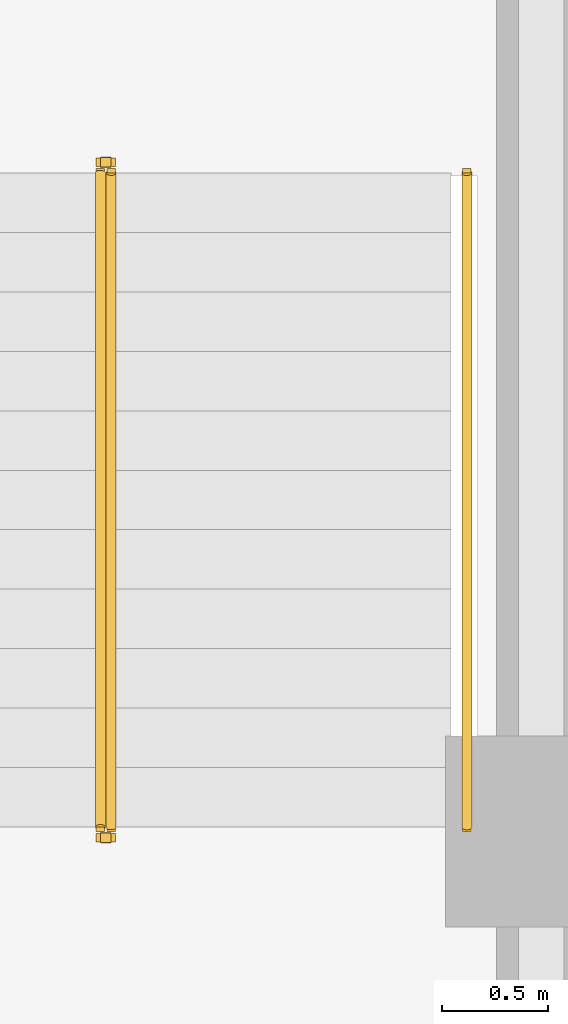
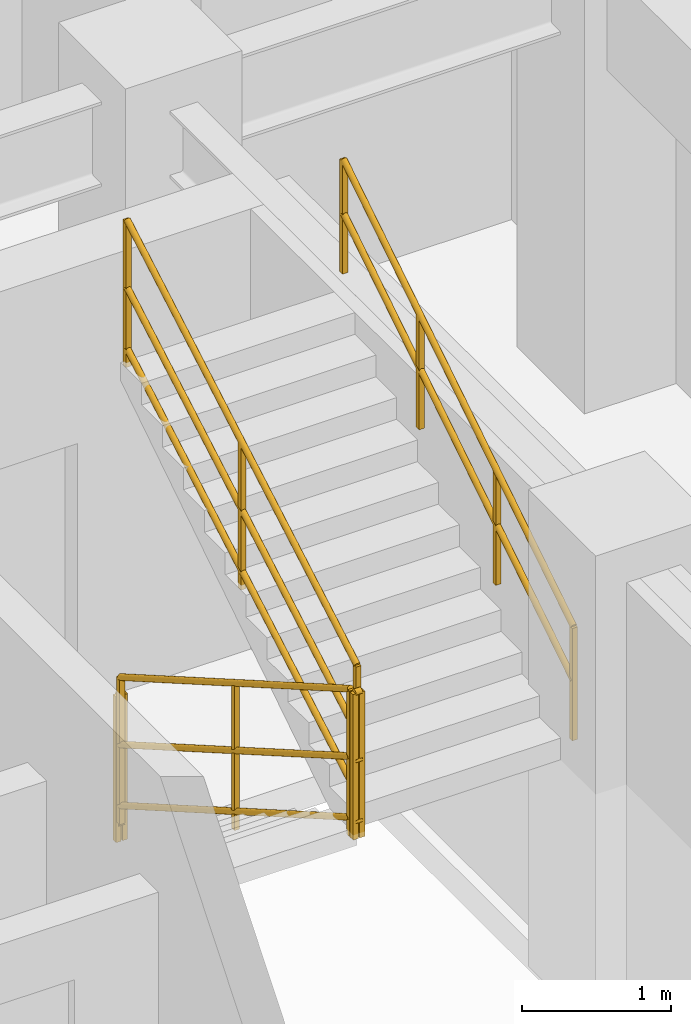
# One storey, part 9 of 10: 5 railings.
"""IFC4 building model written with IfcOpenShell, lengths in metres."""

from ifc_helpers import new_model, entity, si_unit, converted_unit, direction, frame, origin_with_axes, origin_2d_with_axis, place, context, subcontext, project, spatial, rectangle, circle, extrude, material, type_object, element, save


model = new_model("IFC4")

# Units and contexts
model_context = context("Model", 3, precision=1e-05, world=origin_with_axes(), true_north=direction((0.0, 1.0)))
body_context = subcontext(model_context, "Body", "Model", "MODEL_VIEW")
ifc_project = project(units=[si_unit("LENGTHUNIT", "METRE"), si_unit("AREAUNIT", "SQUARE_METRE"), si_unit("VOLUMEUNIT", "CUBIC_METRE"), converted_unit("PLANEANGLEUNIT", "DEGREE", entity("IfcPlaneAngleMeasure", 0.017453292519943295), si_unit("PLANEANGLEUNIT", "RADIAN"), dimensions=[0, 0, 0, 0, 0, 0, 0]), si_unit("MASSUNIT", "GRAM", prefix="KILO"), si_unit("THERMODYNAMICTEMPERATUREUNIT", "KELVIN")], contexts=[model_context])

# Site, building, storey
site_placement = place(None, origin_with_axes())
site = spatial("IfcSite", under=ifc_project, at=site_placement, CompositionType="ELEMENT")
building_placement = place(site_placement, origin_with_axes())
building = spatial("IfcBuilding", under=site, at=building_placement, Name="Varnlund Millrace Tower", CompositionType="ELEMENT")
storey_placement = place(building_placement, frame((0.0, 0.0, 244.2), z_axis=(0.0, 0.0, 1.0), x_axis=(1.0, 0.0, 0.0)))
storey = spatial("IfcBuildingStorey", under=building, at=storey_placement, Name="L60", CompositionType="ELEMENT", Elevation=244.2)

# Railings
ifc_material_1 = material(Name="Painted steel stair well balustrade guard", Category="steel")
railing_type_1 = type_object("IfcRailingType", Name="Type-StairGuard-1150", PredefinedType="GUARDRAIL", material=ifc_material_1)
railing_1_placement = place(storey_placement, frame((0.0, 0.0, -244.2), z_axis=(0.0, 0.0, 1.0), x_axis=(1.0, 0.0, 0.0)))
element("IfcRailing", 1, at=railing_1_placement, inside=storey, type_object=railing_type_1, Name="Type-StairGuard-1150", PredefinedType="GUARDRAIL", context=body_context, shape_type="SweptSolid", body=[
    extrude(circle(Radius=0.024, at=origin_2d_with_axis()), frame((45.975, 21.1, 245.527273), z_axis=(0.0, -0.866696, 0.498836), x_axis=(1.0, 0.0, 0.0)), (0.0, 0.0, 1.0), 3.553725),
    extrude(circle(Radius=0.024, at=origin_2d_with_axis()), frame((45.975, 21.1, 244.477273), z_axis=(0.0, -0.866696, 0.498836), x_axis=(1.0, 0.0, 0.0)), (0.0, 0.0, 1.0), 3.553725),
    extrude(circle(Radius=0.024, at=origin_2d_with_axis()), frame((45.975, 21.1, 244.975273), z_axis=(0.0, -0.866696, 0.498836), x_axis=(1.0, 0.0, 0.0)), (0.0, 0.0, 1.0), 3.553725),
    extrude(rectangle(XDim=0.04, YDim=0.04, at=origin_2d_with_axis()), frame((45.975, 21.1, 244.337273), z_axis=(0.0, 0.0, 1.0), x_axis=(1.0, 0.0, 0.0)), (0.0, 0.0, 1.0), 1.19),
    extrude(rectangle(XDim=0.04, YDim=0.04, at=origin_2d_with_axis()), frame((45.975, 19.56, 245.223637), z_axis=(0.0, 0.0, 1.0), x_axis=(1.0, 0.0, 0.0)), (0.0, 0.0, 1.0), 1.19),
    extrude(rectangle(XDim=0.04, YDim=0.04, at=origin_2d_with_axis()), frame((45.975, 18.02, 246.11), z_axis=(0.0, 0.0, 1.0), x_axis=(1.0, 0.0, 0.0)), (0.0, 0.0, 1.0), 1.19),
])
railing_2_placement = place(storey_placement, frame((0.0, 0.0, -244.2), z_axis=(0.0, 0.0, 1.0), x_axis=(1.0, 0.0, 0.0)))
element("IfcRailing", 2, at=railing_2_placement, inside=storey, type_object=railing_type_1, Name="Type-StairGuard-1150", PredefinedType="GUARDRAIL", context=body_context, shape_type="SweptSolid", body=[
    extrude(circle(Radius=0.024, at=origin_2d_with_axis()), frame((46.025, 17.97, 247.3), z_axis=(-1.0, 0.0, 0.0), x_axis=(0.0, -1.0, 0.0)), (0.0, 0.0, 1.0), 0.05),
    extrude(circle(Radius=0.024, at=origin_2d_with_axis()), frame((46.025, 17.97, 246.25), z_axis=(-1.0, 0.0, 0.0), x_axis=(0.0, -1.0, 0.0)), (0.0, 0.0, 1.0), 0.05),
    extrude(circle(Radius=0.024, at=origin_2d_with_axis()), frame((46.025, 17.97, 246.748), z_axis=(-1.0, 0.0, 0.0), x_axis=(0.0, -1.0, 0.0)), (0.0, 0.0, 1.0), 0.05),
    extrude(rectangle(XDim=0.04, YDim=0.04, at=origin_2d_with_axis()), frame((46.025, 17.97, 246.11), z_axis=(0.0, 0.0, 1.0), x_axis=(1.0, 0.0, 0.0)), (0.0, 0.0, 1.0), 1.19),
    extrude(rectangle(XDim=0.04, YDim=0.04, at=origin_2d_with_axis()), frame((45.975, 17.97, 246.11), z_axis=(0.0, 0.0, 1.0), x_axis=(1.0, 0.0, 0.0)), (0.0, 0.0, 1.0), 1.19),
])
railing_3_placement = place(storey_placement, frame((0.0, 0.0, -244.2), z_axis=(0.0, 0.0, 1.0), x_axis=(1.0, 0.0, 0.0)))
element("IfcRailing", 3, at=railing_3_placement, inside=storey, type_object=railing_type_1, Name="Type-StairGuard-1150", PredefinedType="GUARDRAIL", context=body_context, shape_type="SweptSolid", body=[
    extrude(circle(Radius=0.024, at=origin_2d_with_axis()), frame((46.025, 18.02, 247.477273), z_axis=(0.0, 0.866696, 0.498836), x_axis=(-1.0, 0.0, 0.0)), (0.0, 0.0, 1.0), 3.553725),
    extrude(circle(Radius=0.024, at=origin_2d_with_axis()), frame((46.025, 18.02, 246.427273), z_axis=(0.0, 0.866696, 0.498836), x_axis=(-1.0, 0.0, 0.0)), (0.0, 0.0, 1.0), 3.553725),
    extrude(circle(Radius=0.024, at=origin_2d_with_axis()), frame((46.025, 18.02, 246.925273), z_axis=(0.0, 0.866696, 0.498836), x_axis=(-1.0, 0.0, 0.0)), (0.0, 0.0, 1.0), 3.553725),
    extrude(rectangle(XDim=0.04, YDim=0.04, at=origin_2d_with_axis()), frame((46.025, 18.02, 246.287273), z_axis=(0.0, 0.0, 1.0), x_axis=(1.0, 0.0, 0.0)), (0.0, 0.0, 1.0), 1.19),
    extrude(rectangle(XDim=0.04, YDim=0.04, at=origin_2d_with_axis()), frame((46.025, 19.56, 247.173637), z_axis=(0.0, 0.0, 1.0), x_axis=(1.0, 0.0, 0.0)), (0.0, 0.0, 1.0), 1.19),
    extrude(rectangle(XDim=0.04, YDim=0.04, at=origin_2d_with_axis()), frame((46.025, 21.1, 248.06), z_axis=(0.0, 0.0, 1.0), x_axis=(1.0, 0.0, 0.0)), (0.0, 0.0, 1.0), 1.19),
])
railing_4_placement = place(storey_placement, frame((0.0, 0.0, -244.2), z_axis=(0.0, 0.0, 1.0), x_axis=(1.0, 0.0, 0.0)))
element("IfcRailing", 4, at=railing_4_placement, inside=storey, type_object=railing_type_1, Name="Type-StairGuard-1150", PredefinedType="GUARDRAIL", context=body_context, shape_type="SweptSolid", body=[
    extrude(circle(Radius=0.024, at=origin_2d_with_axis()), frame((46.025, 21.15, 245.35), z_axis=(-1.0, 0.0, 0.0), x_axis=(0.0, -1.0, 0.0)), (0.0, 0.0, 1.0), 0.05),
    extrude(circle(Radius=0.024, at=origin_2d_with_axis()), frame((46.025, 21.15, 244.3), z_axis=(-1.0, 0.0, 0.0), x_axis=(0.0, -1.0, 0.0)), (0.0, 0.0, 1.0), 0.05),
    extrude(circle(Radius=0.024, at=origin_2d_with_axis()), frame((46.025, 21.15, 244.798), z_axis=(-1.0, 0.0, 0.0), x_axis=(0.0, -1.0, 0.0)), (0.0, 0.0, 1.0), 0.05),
    extrude(rectangle(XDim=0.04, YDim=0.04, at=origin_2d_with_axis()), frame((46.025, 21.15, 244.16), z_axis=(0.0, 0.0, 1.0), x_axis=(1.0, 0.0, 0.0)), (0.0, 0.0, 1.0), 1.19),
    extrude(rectangle(XDim=0.04, YDim=0.04, at=origin_2d_with_axis()), frame((45.975, 21.15, 244.16), z_axis=(0.0, 0.0, 1.0), x_axis=(1.0, 0.0, 0.0)), (0.0, 0.0, 1.0), 1.19),
])
ifc_material_2 = material(Name="Brushed architectural bronze stair handrail", Category="aluminium")
railing_type_2 = type_object("IfcRailingType", Name="Type-StairHandrail-900", PredefinedType="HANDRAIL", material=ifc_material_2)
railing_5_placement = place(storey_placement, frame((0.0, 0.0, -244.2), z_axis=(0.0, 0.0, 1.0), x_axis=(1.0, 0.0, 0.0)))
element("IfcRailing", 5, at=railing_5_placement, inside=storey, type_object=railing_type_2, Name="Type-StairHandrail-900", PredefinedType="HANDRAIL", context=body_context, shape_type="SweptSolid", body=[
    extrude(circle(Radius=0.024, at=origin_2d_with_axis()), frame((47.7, 18.02, 247.206995), z_axis=(0.0, 0.844902, 0.534922), x_axis=(-1.0, 0.0, 0.0)), (0.0, 0.0, 1.0), 3.645394),
    extrude(circle(Radius=0.024, at=origin_2d_with_axis()), frame((47.7, 18.02, 246.767134), z_axis=(0.0, 0.844902, 0.534922), x_axis=(-1.0, 0.0, 0.0)), (0.0, 0.0, 1.0), 3.645394),
    extrude(rectangle(XDim=0.04, YDim=0.04, at=origin_2d_with_axis()), frame((47.7, 18.02, 246.287273), z_axis=(0.0, 0.0, 1.0), x_axis=(1.0, 0.0, 0.0)), (0.0, 0.0, 1.0), 0.919722),
    extrude(rectangle(XDim=0.04, YDim=0.04, at=origin_2d_with_axis()), frame((47.7, 19.046667, 246.937273), z_axis=(0.0, 0.0, 1.0), x_axis=(1.0, 0.0, 0.0)), (0.0, 0.0, 1.0), 0.919722),
    extrude(rectangle(XDim=0.04, YDim=0.04, at=origin_2d_with_axis()), frame((47.7, 20.073333, 247.587273), z_axis=(0.0, 0.0, 1.0), x_axis=(1.0, 0.0, 0.0)), (0.0, 0.0, 1.0), 0.919722),
    extrude(rectangle(XDim=0.04, YDim=0.04, at=origin_2d_with_axis()), frame((47.7, 21.1, 248.237273), z_axis=(0.0, 0.0, 1.0), x_axis=(1.0, 0.0, 0.0)), (0.0, 0.0, 1.0), 0.919722),
])

save(model, "model.ifc")
